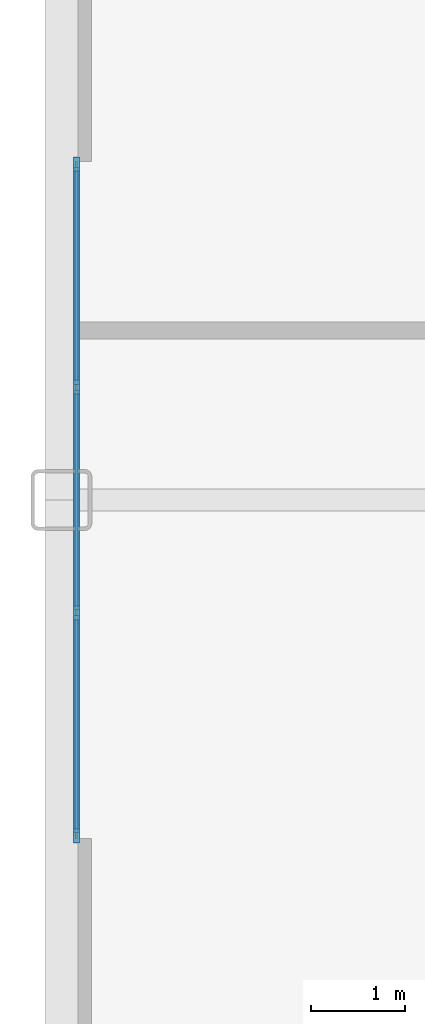
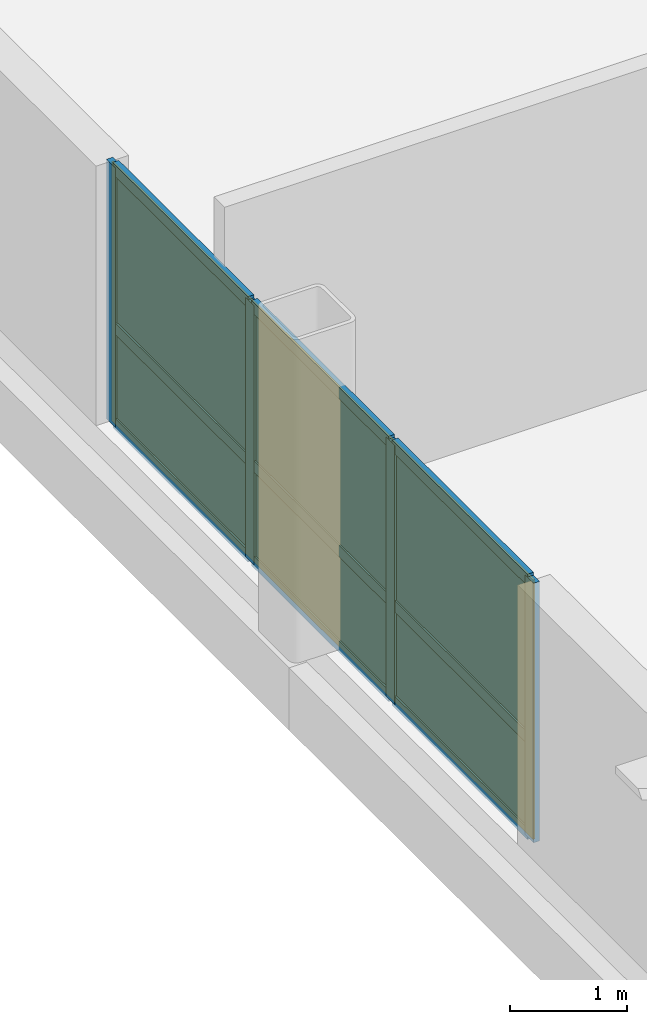
# One storey, part 10 of 17: 13 members, 6 plates, 1 curtain wall.
"""IFC4 building model written with IfcOpenShell, lengths in metres."""

from ifc_helpers import new_model, si_unit, direction, frame, frame_2d, origin, origin_2d, place, context, subcontext, project, spatial, rectangle, extrude, source, transform, mapped, material, layer, layer_set, material_profile, profile_set, type_object, type_shapes, element, aggregate, save


model = new_model("IFC4")

# Units and contexts
model_context = context("Model", 3, precision=1e-05, world=origin(), true_north=direction((0.0, 1.0)))
body_context = subcontext(model_context, "Body", "Model", "MODEL_VIEW")
ifc_project = project(units=[si_unit("LENGTHUNIT", "METRE"), si_unit("AREAUNIT", "SQUARE_METRE"), si_unit("VOLUMEUNIT", "CUBIC_METRE"), si_unit("PLANEANGLEUNIT", "RADIAN"), si_unit("MASSUNIT", "GRAM", prefix="KILO")], contexts=[model_context])

# Member
ifc_material_1 = material(Name="Anodised aluminium 6063-T6", Category="aluminium")
ifc_material_profile_1 = material_profile(ifc_material_1, rectangle(XDim=0.06005859375, YDim=0.14990234375, at=origin_2d()), Name="ALU-MULL-60x150")
ifc_profile_set_1 = profile_set([ifc_material_profile_1], Name="Anodised aluminium 6063-T6")
member_type_1 = type_object("IfcMemberType", Name="CWM-3", PredefinedType="MULLION", material=ifc_profile_set_1)
site_placement = place(None, origin())
building_placement = place(site_placement, origin())
storey_placement = place(building_placement, frame((0.0, 0.0, 120.199951171875)))
member_1_placement = place(storey_placement, frame((-26.239990234375, -3.570068359375, 0.0), z_axis=(0.0, 0.0, 1.0), x_axis=(-1.0, 0.0, 0.0)))
member_1 = element("IfcMember", 1, at=member_1_placement, type_object=member_type_1, Name="CWS-3 mullion 1", PredefinedType="MULLION", context=body_context, shape_type="SweptSolid", body=[
    extrude(rectangle(XDim=0.06005859375, YDim=0.14990234375, at=origin_2d()), origin(), (0.0, 0.0, 1.0), 2.705078125),
])

member_2_placement = place(storey_placement, frame((-26.239990234375, -1.199951171875, 0.0), z_axis=(0.0, 0.0, 1.0), x_axis=(-1.0, 0.0, 0.0)))
member_2 = element("IfcMember", 2, at=member_2_placement, type_object=member_type_1, Name="CWS-3 mullion 2", PredefinedType="MULLION", context=body_context, shape_type="SweptSolid", body=[
    extrude(rectangle(XDim=0.06005859375, YDim=0.14990234375, at=origin_2d()), origin(), (0.0, 0.0, 1.0), 2.705078125),
])

member_3_placement = place(storey_placement, frame((-26.239990234375, 1.199951171875, 0.0), z_axis=(0.0, 0.0, 1.0), x_axis=(-1.0, 0.0, 0.0)))
member_3 = element("IfcMember", 3, at=member_3_placement, type_object=member_type_1, Name="CWS-3 mullion 3", PredefinedType="MULLION", context=body_context, shape_type="SweptSolid", body=[
    extrude(rectangle(XDim=0.06005859375, YDim=0.14990234375, at=origin_2d()), origin(), (0.0, 0.0, 1.0), 2.705078125),
])

member_4_placement = place(storey_placement, frame((-26.239990234375, 3.570068359375, 0.0), z_axis=(0.0, 0.0, 1.0), x_axis=(-1.0, 0.0, 0.0)))
member_4 = element("IfcMember", 4, at=member_4_placement, type_object=member_type_1, Name="CWS-3 mullion 4", PredefinedType="MULLION", context=body_context, shape_type="SweptSolid", body=[
    extrude(rectangle(XDim=0.06005859375, YDim=0.14990234375, at=origin_2d()), origin(), (0.0, 0.0, 1.0), 2.705078125),
])

ifc_material_profile_2 = material_profile(ifc_material_1, rectangle(XDim=0.06005859375, YDim=0.1201171875, at=origin_2d()), Name="ALU-TRAN-60x120")
ifc_profile_set_2 = profile_set([ifc_material_profile_2], Name="Anodised aluminium 6063-T6")
member_type_2 = type_object("IfcMemberType", Name="CWT-3", PredefinedType="USERDEFINED", material=ifc_profile_set_2)
member_5_placement = place(storey_placement, frame((-26.239990234375, -3.5400390625, 0.030029296875), z_axis=(0.0, 1.0, 0.0), x_axis=(-1.0, 0.0, 0.0)))
member_5 = element("IfcMember", 5, at=member_5_placement, type_object=member_type_2, Name="CWS-3 transom 1.1", ObjectType="TRANSOM", PredefinedType="USERDEFINED", context=body_context, shape_type="SweptSolid", body=[
    extrude(rectangle(XDim=0.06005859375, YDim=0.1201171875, at=origin_2d()), origin(), (0.0, 0.0, 1.0), 2.31005859375),
])

member_6_placement = place(storey_placement, frame((-26.239990234375, -3.5400390625, 1.02783203125), z_axis=(0.0, 1.0, 0.0), x_axis=(-1.0, 0.0, 0.0)))
member_6 = element("IfcMember", 6, at=member_6_placement, type_object=member_type_2, Name="CWS-3 transom 1.2", ObjectType="TRANSOM", PredefinedType="USERDEFINED", context=body_context, shape_type="SweptSolid", body=[
    extrude(rectangle(XDim=0.06005859375, YDim=0.1201171875, at=origin_2d()), origin(), (0.0, 0.0, 1.0), 2.31005859375),
])

member_7_placement = place(storey_placement, frame((-26.239990234375, -3.5400390625, 2.675048828125), z_axis=(0.0, 1.0, 0.0), x_axis=(-1.0, 0.0, 0.0)))
member_7 = element("IfcMember", 7, at=member_7_placement, type_object=member_type_2, Name="CWS-3 transom 1.3", ObjectType="TRANSOM", PredefinedType="USERDEFINED", context=body_context, shape_type="SweptSolid", body=[
    extrude(rectangle(XDim=0.06005859375, YDim=0.1201171875, at=origin_2d()), origin(), (0.0, 0.0, 1.0), 2.31005859375),
])

member_8_placement = place(storey_placement, frame((-26.239990234375, -1.169921875, 0.030029296875), z_axis=(0.0, 1.0, 0.0), x_axis=(-1.0, 0.0, 0.0)))
member_8 = element("IfcMember", 8, at=member_8_placement, type_object=member_type_2, Name="CWS-3 transom 2.1", ObjectType="TRANSOM", PredefinedType="USERDEFINED", context=body_context, shape_type="SweptSolid", body=[
    extrude(rectangle(XDim=0.06005859375, YDim=0.1201171875, at=origin_2d()), origin(), (0.0, 0.0, 1.0), 2.33984375),
])

member_9_placement = place(storey_placement, frame((-26.239990234375, -1.169921875, 1.02783203125), z_axis=(0.0, 1.0, 0.0), x_axis=(-1.0, 0.0, 0.0)))
member_9 = element("IfcMember", 9, at=member_9_placement, type_object=member_type_2, Name="CWS-3 transom 2.2", ObjectType="TRANSOM", PredefinedType="USERDEFINED", context=body_context, shape_type="SweptSolid", body=[
    extrude(rectangle(XDim=0.06005859375, YDim=0.1201171875, at=origin_2d()), origin(), (0.0, 0.0, 1.0), 2.33984375),
])

member_10_placement = place(storey_placement, frame((-26.239990234375, -1.169921875, 2.675048828125), z_axis=(0.0, 1.0, 0.0), x_axis=(-1.0, 0.0, 0.0)))
member_10 = element("IfcMember", 10, at=member_10_placement, type_object=member_type_2, Name="CWS-3 transom 2.3", ObjectType="TRANSOM", PredefinedType="USERDEFINED", context=body_context, shape_type="SweptSolid", body=[
    extrude(rectangle(XDim=0.06005859375, YDim=0.1201171875, at=origin_2d()), origin(), (0.0, 0.0, 1.0), 2.33984375),
])

member_11_placement = place(storey_placement, frame((-26.239990234375, 1.22998046875, 0.030029296875), z_axis=(0.0, 1.0, 0.0), x_axis=(-1.0, 0.0, 0.0)))
member_11 = element("IfcMember", 11, at=member_11_placement, type_object=member_type_2, Name="CWS-3 transom 3.1", ObjectType="TRANSOM", PredefinedType="USERDEFINED", context=body_context, shape_type="SweptSolid", body=[
    extrude(rectangle(XDim=0.06005859375, YDim=0.1201171875, at=origin_2d()), origin(), (0.0, 0.0, 1.0), 2.31005859375),
])

member_12_placement = place(storey_placement, frame((-26.239990234375, 1.22998046875, 1.02783203125), z_axis=(0.0, 1.0, 0.0), x_axis=(-1.0, 0.0, 0.0)))
member_12 = element("IfcMember", 12, at=member_12_placement, type_object=member_type_2, Name="CWS-3 transom 3.2", ObjectType="TRANSOM", PredefinedType="USERDEFINED", context=body_context, shape_type="SweptSolid", body=[
    extrude(rectangle(XDim=0.06005859375, YDim=0.1201171875, at=origin_2d()), origin(), (0.0, 0.0, 1.0), 2.31005859375),
])

member_13_placement = place(storey_placement, frame((-26.239990234375, 1.22998046875, 2.675048828125), z_axis=(0.0, 1.0, 0.0), x_axis=(-1.0, 0.0, 0.0)))
member_13 = element("IfcMember", 13, at=member_13_placement, type_object=member_type_2, Name="CWS-3 transom 3.3", ObjectType="TRANSOM", PredefinedType="USERDEFINED", context=body_context, shape_type="SweptSolid", body=[
    extrude(rectangle(XDim=0.06005859375, YDim=0.1201171875, at=origin_2d()), origin(), (0.0, 0.0, 1.0), 2.31005859375),
])

# Plate
ifc_material_2 = material(Name="Insulated solar-control glass", Category="glass")
ifc_layer_1 = layer(ifc_material_2, 0.028076171875, Name="CWP-3")
ifc_layer_set_1 = layer_set([ifc_layer_1], Name="Insulated solar-control glass")
plate_type = type_object("IfcPlateType", Name="CWP-3", PredefinedType="CURTAIN_PANEL", material=ifc_layer_set_1)
shared_shape_1 = source(origin(), body_context, "Body", "SweptSolid", [
    extrude(rectangle(XDim=2.31005859375, YDim=0.028076171875, at=origin_2d()), origin(), (0.0, 0.0, 1.0), 0.93798828125),
])
plate_1_placement = place(storey_placement, frame((-26.239990234375, -2.385009765625, 0.06005859375), z_axis=(0.0, 0.0, 1.0), x_axis=(0.0, 1.0, 0.0)))
plate_1 = element("IfcPlate", 14, at=plate_1_placement, type_object=plate_type, Name="CWS-3 panel 1.1", PredefinedType="CURTAIN_PANEL", context=body_context, shape_type="MappedRepresentation", body=[
    mapped(shared_shape_1, transform((0.0, 0.0, 0.0), scale=1.0)),
])

plate_2_placement = place(storey_placement, frame((-26.239990234375, 2.385009765625, 0.06005859375), z_axis=(0.0, 0.0, 1.0), x_axis=(0.0, 1.0, 0.0)))
plate_2 = element("IfcPlate", 15, at=plate_2_placement, type_object=plate_type, Name="CWS-3 panel 3.1", PredefinedType="CURTAIN_PANEL", context=body_context, shape_type="MappedRepresentation", body=[
    mapped(shared_shape_1, transform((0.0, 0.0, 0.0), scale=1.0)),
])

shared_shape_2 = source(origin(), body_context, "Body", "SweptSolid", [
    extrude(rectangle(XDim=2.31005859375, YDim=0.028076171875, at=origin_2d()), origin(), (0.0, 0.0, 1.0), 1.587158203125),
])
plate_3_placement = place(storey_placement, frame((-26.239990234375, -2.385009765625, 1.05810546875), z_axis=(0.0, 0.0, 1.0), x_axis=(0.0, 1.0, 0.0)))
plate_3 = element("IfcPlate", 16, at=plate_3_placement, type_object=plate_type, Name="CWS-3 panel 1.2", PredefinedType="CURTAIN_PANEL", context=body_context, shape_type="MappedRepresentation", body=[
    mapped(shared_shape_2, transform((0.0, 0.0, 0.0), scale=1.0)),
])

plate_4_placement = place(storey_placement, frame((-26.239990234375, 2.385009765625, 1.05810546875), z_axis=(0.0, 0.0, 1.0), x_axis=(0.0, 1.0, 0.0)))
plate_4 = element("IfcPlate", 17, at=plate_4_placement, type_object=plate_type, Name="CWS-3 panel 3.2", PredefinedType="CURTAIN_PANEL", context=body_context, shape_type="MappedRepresentation", body=[
    mapped(shared_shape_2, transform((0.0, 0.0, 0.0), scale=1.0)),
])

shared_shape_3 = source(origin(), body_context, "Body", "SweptSolid", [
    extrude(rectangle(XDim=2.340087890625, YDim=0.028076171875, at=origin_2d()), origin(), (0.0, 0.0, 1.0), 0.93798828125),
])
plate_5_placement = place(storey_placement, frame((-26.239990234375, 0.0, 0.06005859375), z_axis=(0.0, 0.0, 1.0), x_axis=(0.0, 1.0, 0.0)))
plate_5 = element("IfcPlate", 18, at=plate_5_placement, type_object=plate_type, Name="CWS-3 panel 2.1", PredefinedType="CURTAIN_PANEL", context=body_context, shape_type="MappedRepresentation", body=[
    mapped(shared_shape_3, transform((0.0, 0.0, 0.0), scale=1.0)),
])

shared_shape_4 = source(origin(), body_context, "Body", "SweptSolid", [
    extrude(rectangle(XDim=2.340087890625, YDim=0.028076171875, at=origin_2d()), origin(), (0.0, 0.0, 1.0), 1.587158203125),
])
type_shapes(plate_type, [shared_shape_1, shared_shape_2, shared_shape_3, shared_shape_4])
plate_6_placement = place(storey_placement, frame((-26.239990234375, 0.0, 1.05810546875), z_axis=(0.0, 0.0, 1.0), x_axis=(0.0, 1.0, 0.0)))
plate_6 = element("IfcPlate", 19, at=plate_6_placement, type_object=plate_type, Name="CWS-3 panel 2.2", PredefinedType="CURTAIN_PANEL", context=body_context, shape_type="MappedRepresentation", body=[
    mapped(shared_shape_4, transform((0.0, 0.0, 0.0), scale=1.0)),
])

# Site, building, storey
site = spatial("IfcSite", under=ifc_project, at=site_placement, CompositionType="ELEMENT")
building = spatial("IfcBuilding", under=site, at=building_placement, Name="Nuvemarco Arch Tower", CompositionType="ELEMENT")
storey = spatial("IfcBuildingStorey", under=building, at=storey_placement, Name="L31", CompositionType="ELEMENT", Elevation=120.199951171875)

# Curtain wall
ifc_layer_2 = layer(ifc_material_2, 0.14990234375, Name="CW-SYS-3")
ifc_layer_set_2 = layer_set([ifc_layer_2], Name="Insulated solar-control glass")
curtain_wall_type = type_object("IfcCurtainWallType", Name="CW-SYS-3", PredefinedType="NOTDEFINED", material=ifc_layer_set_2)
curtain_wall_placement = place(storey_placement, frame((-26.239990234375, -3.60009765625, 0.0), z_axis=(0.0, 0.0, 1.0), x_axis=(0.0, 1.0, 0.0)))
curtain_wall = element("IfcCurtainWall", 20, at=curtain_wall_placement, inside=storey, type_object=curtain_wall_type, Name="L31 curtain wall CWS-3", PredefinedType="NOTDEFINED", context=body_context, shape_type="SweptSolid", body=[
    extrude(rectangle(XDim=7.2001953125, YDim=0.02001953125, at=frame_2d((3.60009765625, 0.0))), origin(), (0.0, 0.0, 1.0), 2.705078125),
])

aggregate(curtain_wall, [member_1, member_2, member_3, member_4, member_5, member_6, member_7, plate_1, plate_3, member_8, member_9, member_10, plate_5, plate_6, member_11, member_12, member_13, plate_2, plate_4])

save(model, "model.ifc")
